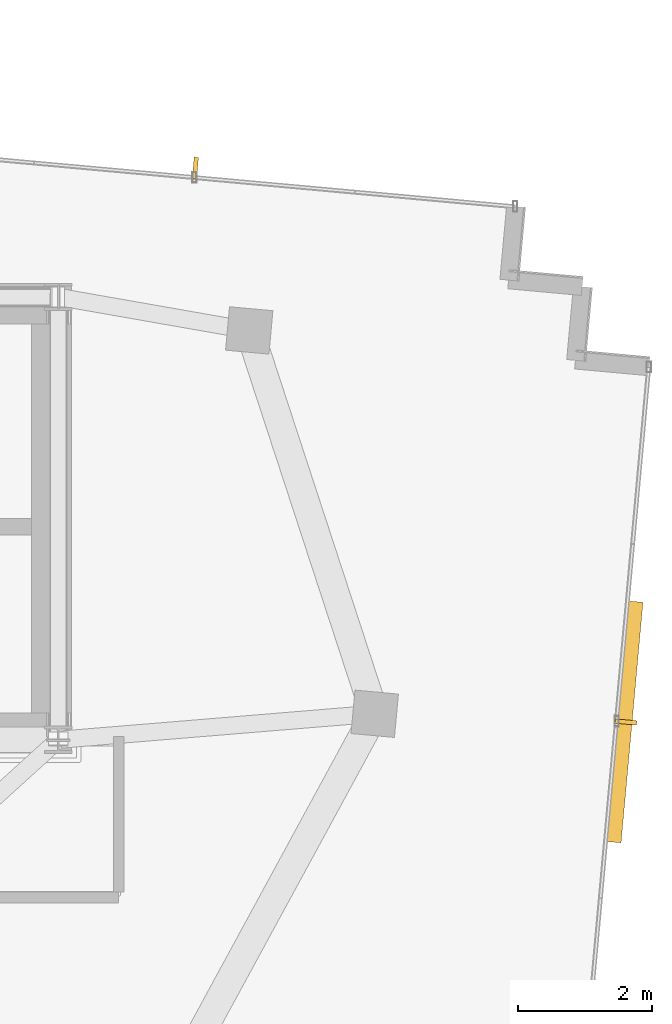
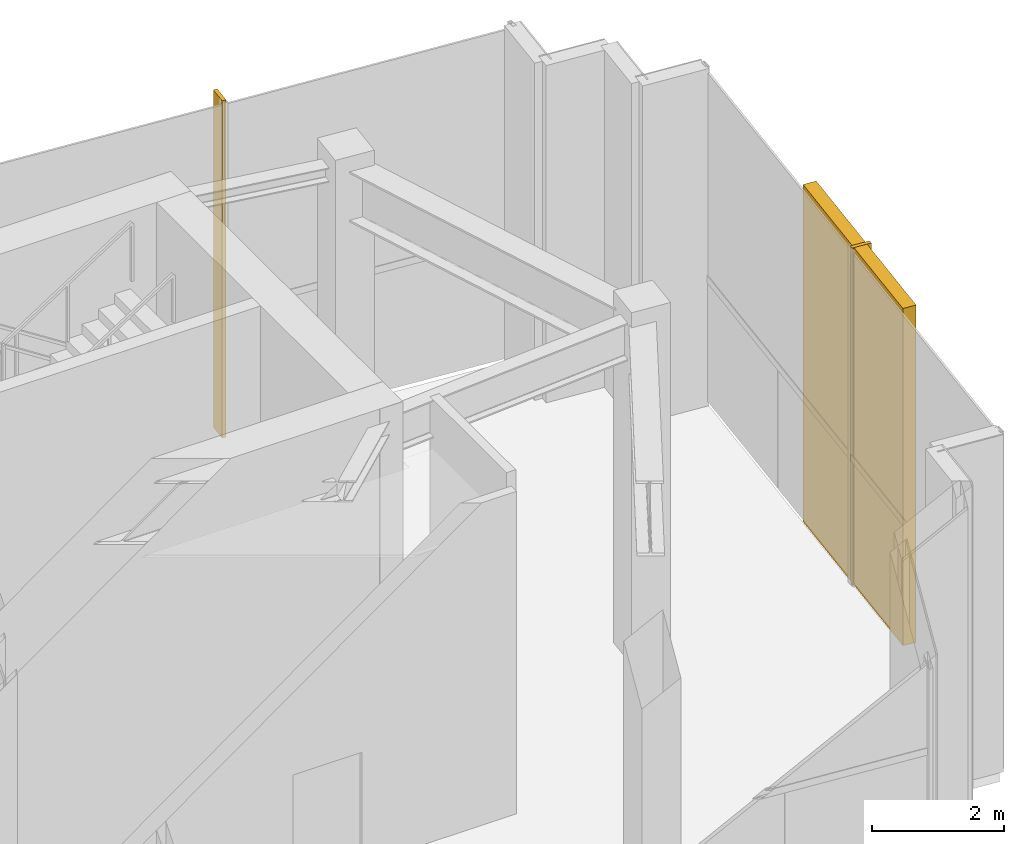
# One storey, part 19 of 19: 3 shading devices.
"""IFC4 building model written with IfcOpenShell, lengths in metres."""

from ifc_helpers import new_model, si_unit, direction, frame, origin, origin_2d, place, context, subcontext, project, spatial, rectangle, extrude, source, transform, mapped, material, type_object, type_shapes, element, save


model = new_model("IFC4")

# Units and contexts
model_context = context("Model", 3, precision=1e-05, world=origin(), true_north=direction((0.0, 1.0)))
body_context = subcontext(model_context, "Body", "Model", "MODEL_VIEW")
ifc_project = project(units=[si_unit("LENGTHUNIT", "METRE"), si_unit("AREAUNIT", "SQUARE_METRE"), si_unit("VOLUMEUNIT", "CUBIC_METRE"), si_unit("PLANEANGLEUNIT", "RADIAN"), si_unit("MASSUNIT", "GRAM", prefix="KILO")], contexts=[model_context])

# Site, building, storey
site_placement = place(None, origin())
site = spatial("IfcSite", under=ifc_project, at=site_placement, CompositionType="ELEMENT")
building_placement = place(site_placement, origin())
building = spatial("IfcBuilding", under=site, at=building_placement, Name="Astriad Promenade Condominiums", CompositionType="ELEMENT")
storey_placement = place(building_placement, frame((0.0, 0.0, 283.800048828125)))
storey = spatial("IfcBuildingStorey", under=building, at=storey_placement, Name="L79", CompositionType="ELEMENT", Elevation=283.800048828125)

# Shading devices
ifc_material_1 = material(Name="Anodised aluminium 6063-T6 Black Fin", Category="aluminium")
shading_device_type_1 = type_object("IfcShadingDeviceType", Name="FIN-BLACK-260", PredefinedType="USERDEFINED", material=ifc_material_1)
shared_shape_1 = source(origin(), body_context, "Body", "SweptSolid", [
    extrude(rectangle(XDim=0.06494140625, YDim=0.320068359375, at=origin_2d()), origin(), (0.0, 0.0, 1.0), 6.219970703125),
])
type_shapes(shading_device_type_1, [shared_shape_1])
for number, where, z_axis, x_axis, name in (
    (1, (47.64306640625, 25.9208984375, 0.0), (0.0, 0.0, 1.0), (0.995884398616, -0.090632580198, 0.0), "CW-CRN-L79-08-FIN-06"),
    (2, (54.061279296875, 17.665283203125, 0.0), (0.0, 0.0, 1.0), (-0.090632580198, -0.995884398616, 0.0), "CW-CRN-L79-13-FIN-01"),
):
    element("IfcShadingDevice", number, at=place(storey_placement, frame(where, z_axis=z_axis, x_axis=x_axis)), inside=storey, type_object=shading_device_type_1, Name=name, ObjectType="FIN", PredefinedType="USERDEFINED", context=body_context, shape_type="MappedRepresentation", body=[
        mapped(shared_shape_1, transform((0.0, 0.0, 0.0), scale=1.0)),
    ])
ifc_material_2 = material(Name="Anodised aluminium 6063-T6 Black Louvre", Category="aluminium")
shading_device_type_2 = type_object("IfcShadingDeviceType", Name="LOUVRE-ACOUSTIC-220", PredefinedType="JALOUSIE", material=ifc_material_2)
shared_shape_2 = source(origin(), body_context, "Body", "SweptSolid", [
    extrude(rectangle(XDim=3.60009765625, YDim=0.219970703125, at=origin_2d()), origin(), (0.0, 0.0, 1.0), 6.219970703125),
])
type_shapes(shading_device_type_2, [shared_shape_2])
shading_device_placement = place(storey_placement, frame((54.041259765625, 17.6669921875, 0.0), z_axis=(0.0, 0.0, 1.0), x_axis=(-0.090632580198, -0.995884398616, 0.0)))
element("IfcShadingDevice", 3, at=shading_device_placement, inside=storey, type_object=shading_device_type_2, Name="LVR-CRN-L79-13", PredefinedType="JALOUSIE", context=body_context, shape_type="MappedRepresentation", body=[
    mapped(shared_shape_2, transform((0.0, 0.0, 0.0), scale=1.0)),
])

save(model, "model.ifc")
